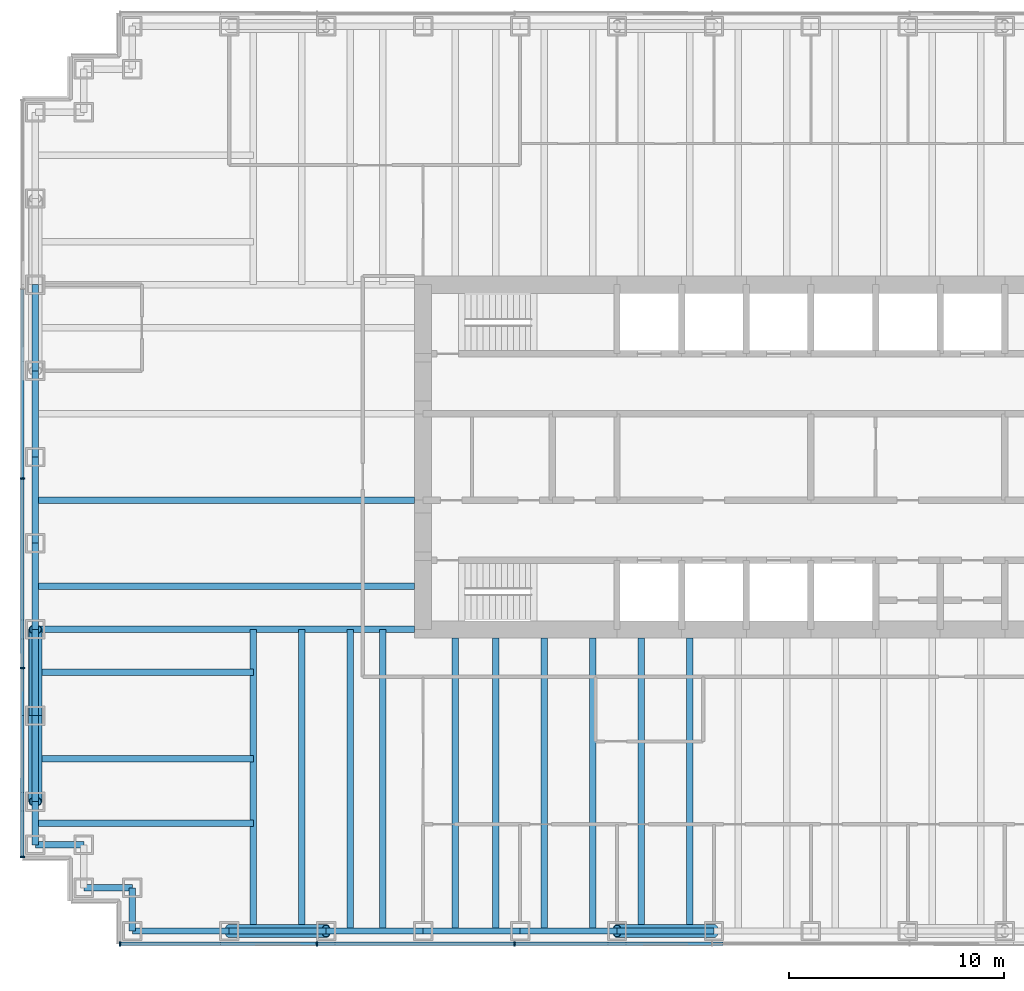
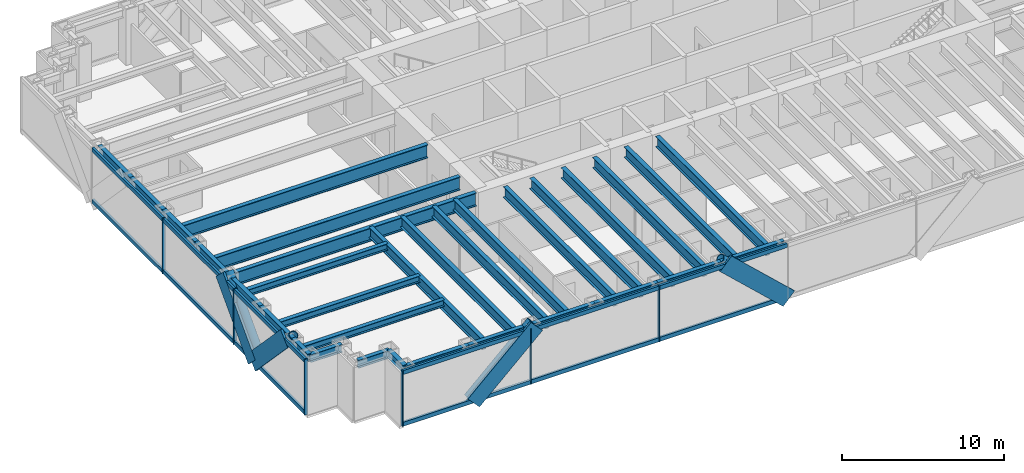
# One storey, part 2 of 17: 32 beams, 26 members, 2 elements without a shape of their own.
"""IFC4 building model written with IfcOpenShell, lengths in metres."""

from ifc_helpers import new_model, si_unit, direction, frame, origin, origin_2d, place, context, subcontext, project, spatial, rectangle, hollow_circle, i_section, extrude, material, material_profile, profile_set, type_object, element, aggregate, save


model = new_model("IFC4")

# Units and contexts
model_context = context("Model", 3, precision=1e-05, world=origin(), true_north=direction((0.0, 1.0)))
body_context = subcontext(model_context, "Body", "Model", "MODEL_VIEW")
ifc_project = project(units=[si_unit("LENGTHUNIT", "METRE"), si_unit("AREAUNIT", "SQUARE_METRE"), si_unit("VOLUMEUNIT", "CUBIC_METRE"), si_unit("PLANEANGLEUNIT", "RADIAN"), si_unit("MASSUNIT", "GRAM", prefix="KILO")], contexts=[model_context])

# Site, building, storey
site_placement = place(None, origin())
site = spatial("IfcSite", under=ifc_project, at=site_placement, CompositionType="ELEMENT")
building_placement = place(site_placement, origin())
building = spatial("IfcBuilding", under=site, at=building_placement, Name="Rheinbord Bourse Tower", CompositionType="ELEMENT")
storey_placement = place(building_placement, frame((0.0, 0.0, 190.0)))
storey = spatial("IfcBuildingStorey", under=building, at=storey_placement, Name="L42", CompositionType="ELEMENT", Elevation=190.0)

# Curtain wall, members
ifc_material_1 = material(Name="Dark glass and black aluminium", Category="aluminium")
curtain_wall_type = type_object("IfcCurtainWallType", Name="CW2 DARK GLASS CURTAIN WALL", PredefinedType="USERDEFINED", material=ifc_material_1)
curtain_wall_1_placement = place(storey_placement, origin())
curtain_wall_1 = element("IfcCurtainWall", 1, at=curtain_wall_1_placement, inside=storey, type_object=curtain_wall_type, Name="Curtain wall CW2 S L42", ObjectType="UNITISED CURTAIN WALL", PredefinedType="USERDEFINED")
ifc_material_2 = material(Name="Black anodised aluminium", Category="aluminium")
ifc_material_profile_1 = material_profile(ifc_material_2, rectangle(XDim=0.159912109375, YDim=1.2099609375, at=origin_2d()), Name="CW2 DIAGONAL MULLION 1210x160")
ifc_profile_set_1 = profile_set([ifc_material_profile_1], Name="Black anodised aluminium")
member_type_1 = type_object("IfcMemberType", Name="CW2 BLACK DIAGONAL MULLION", PredefinedType="USERDEFINED", material=ifc_profile_set_1)
member_1_placement = place(storey_placement, frame((9.0, 1.39990234375, 0.0), z_axis=(0.73105922506, 0.0, 0.682314010889), x_axis=(0.0, 1.0, 0.0)))
member_1 = element("IfcMember", 2, at=member_1_placement, type_object=member_type_1, Name="CW2 diagonal mullion b", ObjectType="DIAGONAL MULLION", PredefinedType="USERDEFINED", context=body_context, shape_type="SweptSolid", body=[
    extrude(rectangle(XDim=0.159912109375, YDim=1.2099609375, at=origin_2d()), origin(), (0.0, 0.0, 1.0), 6.155517578125),
])
member_2_placement = place(storey_placement, frame((31.5, 1.39990234375, 0.0), z_axis=(-0.73105922506, 0.0, 0.682314010889), x_axis=(0.0, -1.0, 0.0)))
member_2 = element("IfcMember", 3, at=member_2_placement, type_object=member_type_1, Name="CW2 diagonal mullion c", ObjectType="DIAGONAL MULLION", PredefinedType="USERDEFINED", context=body_context, shape_type="SweptSolid", body=[
    extrude(rectangle(XDim=0.159912109375, YDim=1.2099609375, at=origin_2d()), origin(), (0.0, 0.0, 1.0), 6.155517578125),
])

curtain_wall_2_placement = place(storey_placement, origin())
curtain_wall_2 = element("IfcCurtainWall", 4, at=curtain_wall_2_placement, inside=storey, type_object=curtain_wall_type, Name="Curtain wall CW2 W L42", ObjectType="UNITISED CURTAIN WALL", PredefinedType="USERDEFINED")
member_3_placement = place(storey_placement, frame((-0.60009765625, 12.0, 0.0), z_axis=(0.0, -0.689659376744, 0.724133926887), x_axis=(1.0, 0.0, 0.0)))
member_3 = element("IfcMember", 5, at=member_3_placement, type_object=member_type_1, Name="CW2 diagonal mullion b", ObjectType="DIAGONAL MULLION", PredefinedType="USERDEFINED", context=body_context, shape_type="SweptSolid", body=[
    extrude(rectangle(XDim=0.159912109375, YDim=1.2099609375, at=origin_2d()), origin(), (0.0, 0.0, 1.0), 5.800048828125),
])
member_4_placement = place(storey_placement, frame((-0.60009765625, 12.0, 0.0), z_axis=(0.0, 0.689659376744, 0.724133926887), x_axis=(-1.0, 0.0, 0.0)))
member_4 = element("IfcMember", 6, at=member_4_placement, type_object=member_type_1, Name="CW2 diagonal mullion d", ObjectType="DIAGONAL MULLION", PredefinedType="USERDEFINED", context=body_context, shape_type="SweptSolid", body=[
    extrude(rectangle(XDim=0.159912109375, YDim=1.2099609375, at=origin_2d()), origin(), (0.0, 0.0, 1.0), 5.800048828125),
])

# Member
ifc_material_3 = material(Name="Black anodised aluminium", Category="aluminium")
ifc_material_profile_2 = material_profile(ifc_material_3, rectangle(XDim=0.219970703125, YDim=0.070068359375, at=origin_2d()), Name="CW2 MULLION 70x220")
ifc_profile_set_2 = profile_set([ifc_material_profile_2], Name="Black anodised aluminium")
member_type_2 = type_object("IfcMemberType", Name="CW2 BLACK MULLION", PredefinedType="MULLION", material=ifc_profile_set_2)
member_5_placement = place(storey_placement, frame((3.93505859375, 1.39990234375, 0.0), z_axis=(0.0, 0.0, 1.0), x_axis=(0.0, 1.0, 0.0)))
member_5 = element("IfcMember", 7, at=member_5_placement, type_object=member_type_2, Name="CW2 mullion 1", PredefinedType="MULLION", context=body_context, shape_type="SweptSolid", body=[
    extrude(rectangle(XDim=0.219970703125, YDim=0.070068359375, at=origin_2d()), origin(), (0.0, 0.0, 1.0), 4.199951171875),
])

member_6_placement = place(storey_placement, frame((13.071533203125, 1.39990234375, 0.0), z_axis=(0.0, 0.0, 1.0), x_axis=(0.0, 1.0, 0.0)))
member_6 = element("IfcMember", 8, at=member_6_placement, type_object=member_type_2, Name="CW2 mullion 2", PredefinedType="MULLION", context=body_context, shape_type="SweptSolid", body=[
    extrude(rectangle(XDim=0.219970703125, YDim=0.070068359375, at=origin_2d()), origin(), (0.0, 0.0, 1.0), 4.199951171875),
])

member_7_placement = place(storey_placement, frame((22.242919921875, 1.39990234375, 0.0), z_axis=(0.0, 0.0, 1.0), x_axis=(0.0, 1.0, 0.0)))
member_7 = element("IfcMember", 9, at=member_7_placement, type_object=member_type_2, Name="CW2 mullion 3", PredefinedType="MULLION", context=body_context, shape_type="SweptSolid", body=[
    extrude(rectangle(XDim=0.219970703125, YDim=0.070068359375, at=origin_2d()), origin(), (0.0, 0.0, 1.0), 4.199951171875),
])

member_8_placement = place(storey_placement, frame((-0.60009765625, 23.0, 0.0), z_axis=(0.0, 0.0, 1.0), x_axis=(1.0, 0.0, 0.0)))
member_8 = element("IfcMember", 10, at=member_8_placement, type_object=member_type_2, Name="CW2 mullion 3", PredefinedType="MULLION", context=body_context, shape_type="SweptSolid", body=[
    extrude(rectangle(XDim=0.219970703125, YDim=0.070068359375, at=origin_2d()), origin(), (0.0, 0.0, 1.0), 4.199951171875),
])

member_9_placement = place(storey_placement, frame((-0.60009765625, 14.199951171875, 0.0), z_axis=(0.0, 0.0, 1.0), x_axis=(1.0, 0.0, 0.0)))
member_9 = element("IfcMember", 11, at=member_9_placement, type_object=member_type_2, Name="CW2 mullion 4", PredefinedType="MULLION", context=body_context, shape_type="SweptSolid", body=[
    extrude(rectangle(XDim=0.219970703125, YDim=0.070068359375, at=origin_2d()), origin(), (0.0, 0.0, 1.0), 4.199951171875),
])

member_10_placement = place(storey_placement, frame((-0.60009765625, 5.43505859375, 0.0), z_axis=(0.0, 0.0, 1.0), x_axis=(1.0, 0.0, 0.0)))
member_10 = element("IfcMember", 12, at=member_10_placement, type_object=member_type_2, Name="CW2 mullion 5", PredefinedType="MULLION", context=body_context, shape_type="SweptSolid", body=[
    extrude(rectangle(XDim=0.219970703125, YDim=0.070068359375, at=origin_2d()), origin(), (0.0, 0.0, 1.0), 4.199951171875),
])

ifc_material_4 = material(Name="Black anodised aluminium", Category="aluminium")
ifc_material_profile_3 = material_profile(ifc_material_4, rectangle(XDim=0.159912109375, YDim=0.300048828125, at=origin_2d()), Name="CW2 TRANSOM 300x160")
ifc_profile_set_3 = profile_set([ifc_material_profile_3], Name="Black anodised aluminium")
member_type_3 = type_object("IfcMemberType", Name="CW2 BLACK TRANSOM", PredefinedType="USERDEFINED", material=ifc_profile_set_3)
member_11_placement = place(storey_placement, frame((3.969970703125, 1.39990234375, 0.14990234375), z_axis=(1.0, 0.0, 0.0), x_axis=(0.0, 1.0, 0.0)))
member_11 = element("IfcMember", 13, at=member_11_placement, type_object=member_type_3, Name="CW2 transom 1.1", ObjectType="TRANSOM", PredefinedType="USERDEFINED", context=body_context, shape_type="SweptSolid", body=[
    extrude(rectangle(XDim=0.159912109375, YDim=0.300048828125, at=origin_2d()), origin(), (0.0, 0.0, 1.0), 9.06640625),
])

member_12_placement = place(storey_placement, frame((3.969970703125, 1.39990234375, 4.050048828125), z_axis=(1.0, 0.0, 0.0), x_axis=(0.0, 1.0, 0.0)))
member_12 = element("IfcMember", 14, at=member_12_placement, type_object=member_type_3, Name="CW2 transom 1.2", ObjectType="TRANSOM", PredefinedType="USERDEFINED", context=body_context, shape_type="SweptSolid", body=[
    extrude(rectangle(XDim=0.159912109375, YDim=0.300048828125, at=origin_2d()), origin(), (0.0, 0.0, 1.0), 9.06640625),
])

member_13_placement = place(storey_placement, frame((13.1064453125, 1.39990234375, 0.14990234375), z_axis=(1.0, 0.0, 0.0), x_axis=(0.0, 1.0, 0.0)))
member_13 = element("IfcMember", 15, at=member_13_placement, type_object=member_type_3, Name="CW2 transom 2.1", ObjectType="TRANSOM", PredefinedType="USERDEFINED", context=body_context, shape_type="SweptSolid", body=[
    extrude(rectangle(XDim=0.159912109375, YDim=0.300048828125, at=origin_2d()), origin(), (0.0, 0.0, 1.0), 9.101318359375),
])

member_14_placement = place(storey_placement, frame((13.1064453125, 1.39990234375, 4.050048828125), z_axis=(1.0, 0.0, 0.0), x_axis=(0.0, 1.0, 0.0)))
member_14 = element("IfcMember", 16, at=member_14_placement, type_object=member_type_3, Name="CW2 transom 2.2", ObjectType="TRANSOM", PredefinedType="USERDEFINED", context=body_context, shape_type="SweptSolid", body=[
    extrude(rectangle(XDim=0.159912109375, YDim=0.300048828125, at=origin_2d()), origin(), (0.0, 0.0, 1.0), 9.101318359375),
])

member_15_placement = place(storey_placement, frame((22.27783203125, 1.39990234375, 0.14990234375), z_axis=(1.0, 0.0, 0.0), x_axis=(0.0, 1.0, 0.0)))
member_15 = element("IfcMember", 17, at=member_15_placement, type_object=member_type_3, Name="CW2 transom 3.1", ObjectType="TRANSOM", PredefinedType="USERDEFINED", context=body_context, shape_type="SweptSolid", body=[
    extrude(rectangle(XDim=0.159912109375, YDim=0.300048828125, at=origin_2d()), origin(), (0.0, 0.0, 1.0), 9.1015625),
])

member_16_placement = place(storey_placement, frame((22.27783203125, 1.39990234375, 4.050048828125), z_axis=(1.0, 0.0, 0.0), x_axis=(0.0, 1.0, 0.0)))
member_16 = element("IfcMember", 18, at=member_16_placement, type_object=member_type_3, Name="CW2 transom 3.2", ObjectType="TRANSOM", PredefinedType="USERDEFINED", context=body_context, shape_type="SweptSolid", body=[
    extrude(rectangle(XDim=0.159912109375, YDim=0.300048828125, at=origin_2d()), origin(), (0.0, 0.0, 1.0), 9.1015625),
])

aggregate(curtain_wall_1, [member_5, member_6, member_7, member_11, member_12, member_13, member_14, member_15, member_16, member_1, member_2])

member_17_placement = place(storey_placement, frame((-0.60009765625, 31.764892578125, 0.14990234375), z_axis=(0.0, -1.0, 0.0), x_axis=(1.0, 0.0, 0.0)))
member_17 = element("IfcMember", 19, at=member_17_placement, type_object=member_type_3, Name="CW2 transom 2.1", ObjectType="TRANSOM", PredefinedType="USERDEFINED", context=body_context, shape_type="SweptSolid", body=[
    extrude(rectangle(XDim=0.159912109375, YDim=0.300048828125, at=origin_2d()), origin(), (0.0, 0.0, 1.0), 8.72998046875),
])

member_18_placement = place(storey_placement, frame((-0.60009765625, 31.764892578125, 4.050048828125), z_axis=(0.0, -1.0, 0.0), x_axis=(1.0, 0.0, 0.0)))
member_18 = element("IfcMember", 20, at=member_18_placement, type_object=member_type_3, Name="CW2 transom 2.2", ObjectType="TRANSOM", PredefinedType="USERDEFINED", context=body_context, shape_type="SweptSolid", body=[
    extrude(rectangle(XDim=0.159912109375, YDim=0.300048828125, at=origin_2d()), origin(), (0.0, 0.0, 1.0), 8.72998046875),
])

member_19_placement = place(storey_placement, frame((-0.60009765625, 22.965087890625, 0.14990234375), z_axis=(0.0, -1.0, 0.0), x_axis=(1.0, 0.0, 0.0)))
member_19 = element("IfcMember", 21, at=member_19_placement, type_object=member_type_3, Name="CW2 transom 3.1", ObjectType="TRANSOM", PredefinedType="USERDEFINED", context=body_context, shape_type="SweptSolid", body=[
    extrude(rectangle(XDim=0.159912109375, YDim=0.300048828125, at=origin_2d()), origin(), (0.0, 0.0, 1.0), 8.72998046875),
])

member_20_placement = place(storey_placement, frame((-0.60009765625, 22.965087890625, 4.050048828125), z_axis=(0.0, -1.0, 0.0), x_axis=(1.0, 0.0, 0.0)))
member_20 = element("IfcMember", 22, at=member_20_placement, type_object=member_type_3, Name="CW2 transom 3.2", ObjectType="TRANSOM", PredefinedType="USERDEFINED", context=body_context, shape_type="SweptSolid", body=[
    extrude(rectangle(XDim=0.159912109375, YDim=0.300048828125, at=origin_2d()), origin(), (0.0, 0.0, 1.0), 8.72998046875),
])

member_21_placement = place(storey_placement, frame((-0.60009765625, 14.1650390625, 0.14990234375), z_axis=(0.0, -1.0, 0.0), x_axis=(1.0, 0.0, 0.0)))
member_21 = element("IfcMember", 23, at=member_21_placement, type_object=member_type_3, Name="CW2 transom 4.1", ObjectType="TRANSOM", PredefinedType="USERDEFINED", context=body_context, shape_type="SweptSolid", body=[
    extrude(rectangle(XDim=0.159912109375, YDim=0.300048828125, at=origin_2d()), origin(), (0.0, 0.0, 1.0), 8.695068359375),
])

member_22_placement = place(storey_placement, frame((-0.60009765625, 14.1650390625, 4.050048828125), z_axis=(0.0, -1.0, 0.0), x_axis=(1.0, 0.0, 0.0)))
member_22 = element("IfcMember", 24, at=member_22_placement, type_object=member_type_3, Name="CW2 transom 4.2", ObjectType="TRANSOM", PredefinedType="USERDEFINED", context=body_context, shape_type="SweptSolid", body=[
    extrude(rectangle(XDim=0.159912109375, YDim=0.300048828125, at=origin_2d()), origin(), (0.0, 0.0, 1.0), 8.695068359375),
])

aggregate(curtain_wall_2, [member_8, member_9, member_10, member_17, member_18, member_19, member_20, member_21, member_22, member_3, member_4])

# Beams
ifc_material_5 = material(Name="Steel S460", Category="steel")
ifc_material_profile_4 = material_profile(ifc_material_5, i_section(OverallWidth=0.302001953125, OverallDepth=1.008056640625, WebThickness=0.02099609375, FlangeThickness=0.0400390625, at=origin_2d()), Name="HEM 1000")
ifc_profile_set_4 = profile_set([ifc_material_profile_4], Name="Steel S460")
beam_type_1 = type_object("IfcBeamType", Name="END BEAM HEM 1000", PredefinedType="BEAM", material=ifc_profile_set_4)
for number, where, z_axis, x_axis, name in (
    (25, (0.0, 18.0, 3.535888671875), (1.0, 0.0, 0.0), (0.0, 1.0, 0.0), "End beam west 18 L43"),
    (26, (0.0, 22.0, 3.535888671875), (1.0, 0.0, 0.0), (0.0, 1.0, 0.0), "End beam west 22 L43"),
):
    element("IfcBeam", number, at=place(storey_placement, frame(where, z_axis=z_axis, x_axis=x_axis)), inside=storey, type_object=beam_type_1, Name=name, PredefinedType="BEAM", context=body_context, shape_type="SweptSolid", body=[
        extrude(i_section(OverallWidth=0.302001953125, OverallDepth=1.008056640625, WebThickness=0.02099609375, FlangeThickness=0.0400390625, at=origin_2d()), origin(), (0.0, 0.0, 1.0), 17.60009765625),
    ])
ifc_material_6 = material(Name="Steel S460", Category="steel")
ifc_material_profile_5 = material_profile(ifc_material_6, i_section(OverallWidth=0.300048828125, OverallDepth=0.800048828125, WebThickness=0.017578125, FlangeThickness=0.032958984375, at=origin_2d()), Name="HEB 800")
ifc_profile_set_5 = profile_set([ifc_material_profile_5], Name="Steel S460")
beam_type_2 = type_object("IfcBeamType", Name="FLOOR BEAM HEB 800", PredefinedType="BEAM", material=ifc_profile_set_5)
for number, where, z_axis, x_axis, name in (
    (27, (10.125, 2.0, 3.639892578125), (0.0, 1.0, 0.0), (-1.0, 0.0, 0.0), "Floor beam S-9a L43"),
    (28, (12.375, 2.0, 3.639892578125), (0.0, 1.0, 0.0), (-1.0, 0.0, 0.0), "Floor beam S-9b L43"),
    (29, (14.625, 2.0, 3.639892578125), (0.0, 1.0, 0.0), (-1.0, 0.0, 0.0), "Floor beam S-13.5a L43"),
    (30, (16.125, 2.0, 3.639892578125), (0.0, 1.0, 0.0), (-1.0, 0.0, 0.0), "Floor beam S-13.5b L43"),
):
    element("IfcBeam", number, at=place(storey_placement, frame(where, z_axis=z_axis, x_axis=x_axis)), inside=storey, type_object=beam_type_2, Name=name, PredefinedType="BEAM", context=body_context, shape_type="SweptSolid", body=[
        extrude(i_section(OverallWidth=0.300048828125, OverallDepth=0.800048828125, WebThickness=0.017578125, FlangeThickness=0.032958984375, at=origin_2d()), origin(), (0.0, 0.0, 1.0), 14.0),
    ])
for number, where, z_axis, x_axis, name in (
    (31, (19.5, 2.0, 3.639892578125), (0.0, 1.0, 0.0), (-1.0, 0.0, 0.0), "Floor beam S-18a L43"),
    (32, (21.375, 2.0, 3.639892578125), (0.0, 1.0, 0.0), (-1.0, 0.0, 0.0), "Floor beam S-18b L43"),
    (33, (23.625, 2.0, 3.639892578125), (0.0, 1.0, 0.0), (-1.0, 0.0, 0.0), "Floor beam S-22.5a L43"),
    (34, (25.875, 2.0, 3.639892578125), (0.0, 1.0, 0.0), (-1.0, 0.0, 0.0), "Floor beam S-22.5b L43"),
    (35, (28.125, 2.0, 3.639892578125), (0.0, 1.0, 0.0), (-1.0, 0.0, 0.0), "Floor beam S-27a L43"),
    (36, (30.375, 2.0, 3.639892578125), (0.0, 1.0, 0.0), (-1.0, 0.0, 0.0), "Floor beam S-27b L43"),
):
    element("IfcBeam", number, at=place(storey_placement, frame(where, z_axis=z_axis, x_axis=x_axis)), inside=storey, type_object=beam_type_2, Name=name, PredefinedType="BEAM", context=body_context, shape_type="SweptSolid", body=[
        extrude(i_section(OverallWidth=0.300048828125, OverallDepth=0.800048828125, WebThickness=0.017578125, FlangeThickness=0.032958984375, at=origin_2d()), origin(), (0.0, 0.0, 1.0), 13.60009765625),
    ])
ifc_material_7 = material(Name="Steel S460", Category="steel")
ifc_material_profile_6 = material_profile(ifc_material_7, i_section(OverallWidth=0.302001953125, OverallDepth=1.008056640625, WebThickness=0.02099609375, FlangeThickness=0.0400390625, at=origin_2d()), Name="HEM 1000")
ifc_profile_set_6 = profile_set([ifc_material_profile_6], Name="Steel S460")
beam_type_3 = type_object("IfcBeamType", Name="GIRDER HEM 1000", PredefinedType="BEAM", material=ifc_profile_set_6)
beam_1_placement = place(storey_placement, frame((0.0, 16.0, 3.535888671875), z_axis=(1.0, 0.0, 0.0), x_axis=(0.0, 1.0, 0.0)))
element("IfcBeam", 37, at=beam_1_placement, inside=storey, type_object=beam_type_3, Name="Girder west 16 L43", PredefinedType="BEAM", context=body_context, shape_type="SweptSolid", body=[
    extrude(i_section(OverallWidth=0.302001953125, OverallDepth=1.008056640625, WebThickness=0.02099609375, FlangeThickness=0.0400390625, at=origin_2d()), origin(), (0.0, 0.0, 1.0), 17.60009765625),
])

# Members
ifc_material_8 = material(Name="Steel S460", Category="steel")
ifc_material_profile_7 = material_profile(ifc_material_8, hollow_circle(Radius=0.304931640625, WallThickness=0.0400390625, at=origin_2d()), Name="CHS 610x40")
ifc_profile_set_7 = profile_set([ifc_material_profile_7], Name="Steel S460")
member_type_4 = type_object("IfcMemberType", Name="MEGABRACE CHS 610x40", PredefinedType="BRACE", material=ifc_profile_set_7)
for number, where, z_axis, x_axis, name in (
    (38, (9.0, 2.0, 0.0), (0.73105922506, 0.0, 0.682314010889), (0.0, 1.0, 0.0), "Megabrace S face line b L42"),
    (39, (31.5, 2.0, 0.0), (-0.73105922506, 0.0, 0.682314010889), (0.0, -1.0, 0.0), "Megabrace S face line c L42"),
):
    element("IfcMember", number, at=place(storey_placement, frame(where, z_axis=z_axis, x_axis=x_axis)), inside=storey, type_object=member_type_4, Name=name, PredefinedType="BRACE", context=body_context, shape_type="SweptSolid", body=[
        extrude(hollow_circle(Radius=0.304931640625, WallThickness=0.0400390625, at=origin_2d()), origin(), (0.0, 0.0, 1.0), 6.155517578125),
    ])
for number, where, z_axis, x_axis, name in (
    (40, (0.0, 12.0, 0.0), (0.0, -0.689659376744, 0.724133926887), (1.0, 0.0, 0.0), "Megabrace W face line b L42"),
    (41, (0.0, 12.0, 0.0), (0.0, 0.689659376744, 0.724133926887), (-1.0, 0.0, 0.0), "Megabrace W face line d L42"),
):
    element("IfcMember", number, at=place(storey_placement, frame(where, z_axis=z_axis, x_axis=x_axis)), inside=storey, type_object=member_type_4, Name=name, PredefinedType="BRACE", context=body_context, shape_type="SweptSolid", body=[
        extrude(hollow_circle(Radius=0.304931640625, WallThickness=0.0400390625, at=origin_2d()), origin(), (0.0, 0.0, 1.0), 5.800048828125),
    ])

# Beams
ifc_material_9 = material(Name="Steel S460", Category="steel")
ifc_material_profile_8 = material_profile(ifc_material_9, i_section(OverallWidth=0.300048828125, OverallDepth=0.60009765625, WebThickness=0.015380859375, FlangeThickness=0.030029296875, at=origin_2d()), Name="HEB 600")
ifc_profile_set_8 = profile_set([ifc_material_profile_8], Name="Steel S460")
beam_type_4 = type_object("IfcBeamType", Name="SPANDREL HEB 600", PredefinedType="SPANDREL", material=ifc_profile_set_8)
for number, where, z_axis, x_axis, name in (
    (42, (4.5, 2.0, 3.739990234375), (1.0, 0.0, 0.0), (0.0, 1.0, 0.0), "Spandrel SW-E-S-9 under L43"),
    (43, (9.0, 2.0, 3.739990234375), (1.0, 0.0, 0.0), (0.0, 1.0, 0.0), "Spandrel S-9-S-13.5 under L43"),
    (44, (13.5, 2.0, 3.739990234375), (1.0, 0.0, 0.0), (0.0, 1.0, 0.0), "Spandrel S-13.5-S-18 under L43"),
    (45, (18.0, 2.0, 3.739990234375), (1.0, 0.0, 0.0), (0.0, 1.0, 0.0), "Spandrel S-18-S-22.5 under L43"),
    (46, (22.5, 2.0, 3.739990234375), (1.0, 0.0, 0.0), (0.0, 1.0, 0.0), "Spandrel S-22.5-S-27 under L43"),
    (47, (27.0, 2.0, 3.739990234375), (1.0, 0.0, 0.0), (0.0, 1.0, 0.0), "Spandrel S-27-S-31.5 under L43"),
):
    element("IfcBeam", number, at=place(storey_placement, frame(where, z_axis=z_axis, x_axis=x_axis)), inside=storey, type_object=beam_type_4, Name=name, PredefinedType="SPANDREL", context=body_context, shape_type="SweptSolid", body=[
        extrude(i_section(OverallWidth=0.300048828125, OverallDepth=0.60009765625, WebThickness=0.015380859375, FlangeThickness=0.030029296875, at=origin_2d()), origin(), (0.0, 0.0, 1.0), 4.5),
    ])
for number, where, z_axis, x_axis, name in (
    (48, (0.0, 32.0, 3.739990234375), (0.0, -1.0, 0.0), (1.0, 0.0, 0.0), "Spandrel W-32-W-28 under L43"),
    (49, (0.0, 28.0, 3.739990234375), (0.0, -1.0, 0.0), (1.0, 0.0, 0.0), "Spandrel W-28-W-24 under L43"),
    (50, (0.0, 24.0, 3.739990234375), (0.0, -1.0, 0.0), (1.0, 0.0, 0.0), "Spandrel W-24-W-20 under L43"),
    (51, (0.0, 20.0, 3.739990234375), (0.0, -1.0, 0.0), (1.0, 0.0, 0.0), "Spandrel W-20-W-16 under L43"),
    (52, (0.0, 16.0, 3.739990234375), (0.0, -1.0, 0.0), (1.0, 0.0, 0.0), "Spandrel W-16-W-12 under L43"),
    (53, (0.0, 12.0, 3.739990234375), (0.0, -1.0, 0.0), (1.0, 0.0, 0.0), "Spandrel W-12-W-8 under L43"),
):
    element("IfcBeam", number, at=place(storey_placement, frame(where, z_axis=z_axis, x_axis=x_axis)), inside=storey, type_object=beam_type_4, Name=name, PredefinedType="SPANDREL", context=body_context, shape_type="SweptSolid", body=[
        extrude(i_section(OverallWidth=0.300048828125, OverallDepth=0.60009765625, WebThickness=0.015380859375, FlangeThickness=0.030029296875, at=origin_2d()), origin(), (0.0, 0.0, 1.0), 4.0),
    ])
beam_2_placement = place(storey_placement, frame((0.0, 8.0, 3.739990234375), z_axis=(0.0, -1.0, 0.0), x_axis=(1.0, 0.0, 0.0)))
element("IfcBeam", 54, at=beam_2_placement, inside=storey, type_object=beam_type_4, Name="Spandrel W-8-SW-A under L43", PredefinedType="SPANDREL", context=body_context, shape_type="SweptSolid", body=[
    extrude(i_section(OverallWidth=0.300048828125, OverallDepth=0.60009765625, WebThickness=0.015380859375, FlangeThickness=0.030029296875, at=origin_2d()), origin(), (0.0, 0.0, 1.0), 2.0),
])
for number, where, z_axis, x_axis, name in (
    (55, (0.0, 6.0, 3.739990234375), (1.0, 0.0, 0.0), (0.0, 1.0, 0.0), "Spandrel SW-A-SW-B under L43"),
    (56, (2.25, 4.0, 3.739990234375), (1.0, 0.0, 0.0), (0.0, 1.0, 0.0), "Spandrel SW-C-SW-D under L43"),
):
    element("IfcBeam", number, at=place(storey_placement, frame(where, z_axis=z_axis, x_axis=x_axis)), inside=storey, type_object=beam_type_4, Name=name, PredefinedType="SPANDREL", context=body_context, shape_type="SweptSolid", body=[
        extrude(i_section(OverallWidth=0.300048828125, OverallDepth=0.60009765625, WebThickness=0.015380859375, FlangeThickness=0.030029296875, at=origin_2d()), origin(), (0.0, 0.0, 1.0), 2.25),
    ])
beam_3_placement = place(storey_placement, frame((4.5, 4.0, 3.739990234375), z_axis=(0.0, -1.0, 0.0), x_axis=(1.0, 0.0, 0.0)))
element("IfcBeam", 57, at=beam_3_placement, inside=storey, type_object=beam_type_4, Name="Spandrel SW-D-SW-E under L43", PredefinedType="SPANDREL", context=body_context, shape_type="SweptSolid", body=[
    extrude(i_section(OverallWidth=0.300048828125, OverallDepth=0.60009765625, WebThickness=0.015380859375, FlangeThickness=0.030029296875, at=origin_2d()), origin(), (0.0, 0.0, 1.0), 2.0),
])
ifc_material_10 = material(Name="Steel S460", Category="steel")
ifc_material_profile_9 = material_profile(ifc_material_10, i_section(OverallWidth=0.300048828125, OverallDepth=0.5, WebThickness=0.014404296875, FlangeThickness=0.028076171875, at=origin_2d()), Name="HEB 500")
ifc_profile_set_9 = profile_set([ifc_material_profile_9], Name="Steel S460")
beam_type_5 = type_object("IfcBeamType", Name="TIE BEAM HEB 500", PredefinedType="JOIST", material=ifc_profile_set_9)
for number, where, z_axis, x_axis, name in (
    (58, (0.0, 7.0, 3.7900390625), (1.0, 0.0, 0.0), (0.0, 1.0, 0.0), "Tie west 7 L43"),
    (59, (0.0, 10.0, 3.7900390625), (1.0, 0.0, 0.0), (0.0, 1.0, 0.0), "Tie west 10 L43"),
    (60, (0.0, 14.0, 3.7900390625), (1.0, 0.0, 0.0), (0.0, 1.0, 0.0), "Tie west 14 L43"),
):
    element("IfcBeam", number, at=place(storey_placement, frame(where, z_axis=z_axis, x_axis=x_axis)), inside=storey, type_object=beam_type_5, Name=name, PredefinedType="JOIST", context=body_context, shape_type="SweptSolid", body=[
        extrude(i_section(OverallWidth=0.300048828125, OverallDepth=0.5, WebThickness=0.014404296875, FlangeThickness=0.028076171875, at=origin_2d()), origin(), (0.0, 0.0, 1.0), 10.125),
    ])

save(model, "model.ifc")
